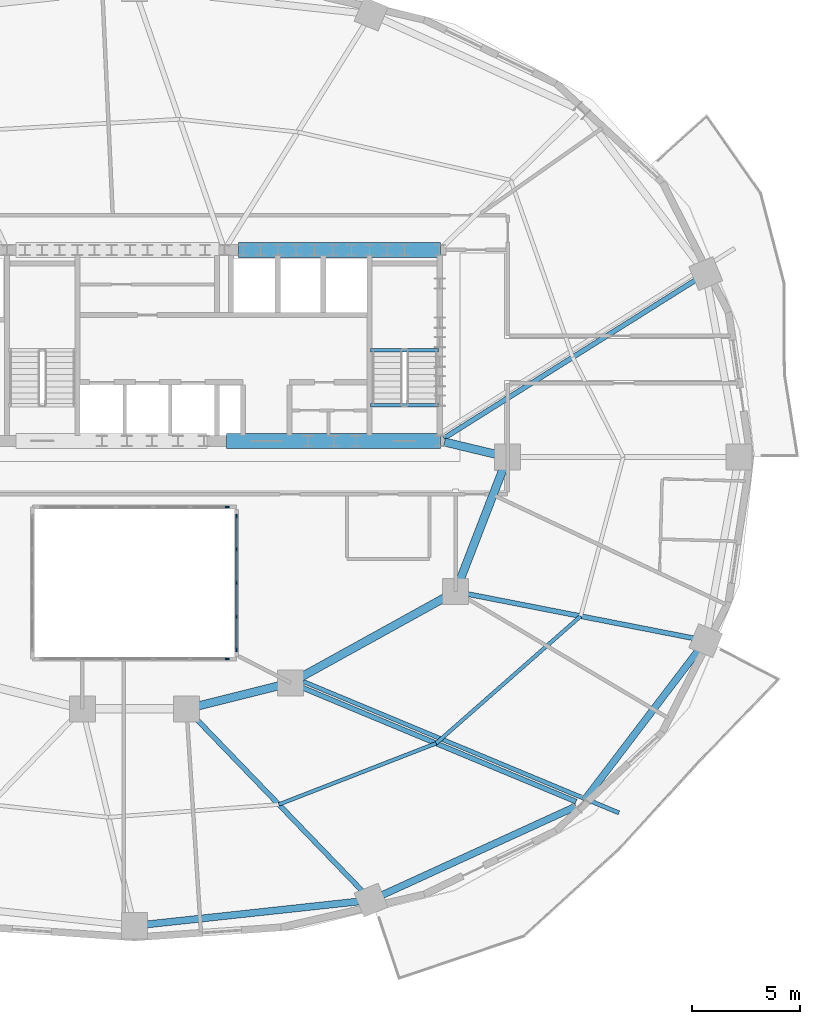
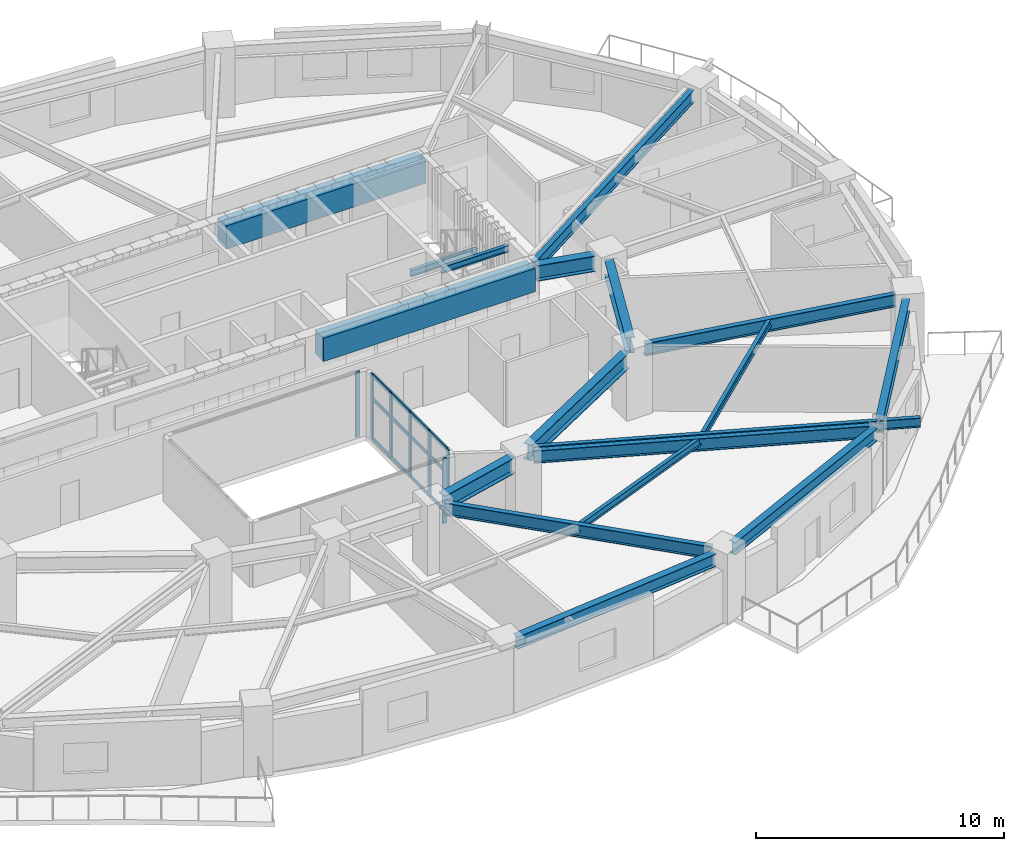
# One storey, part 4 of 13: 19 members, 18 beams, 3 elements without a shape of their own.
"""IFC4 building model written with IfcOpenShell, lengths in metres."""

from ifc_helpers import new_model, si_unit, direction, frame, origin, origin_2d, place, context, subcontext, project, spatial, rectangle, i_section, extrude, material, material_profile, profile_set, type_object, element, aggregate, save


model = new_model("IFC4")

# Units and contexts
model_context = context("Model", 3, precision=1e-05, world=origin(), true_north=direction((0.0, 1.0)))
body_context = subcontext(model_context, "Body", "Model", "MODEL_VIEW")
ifc_project = project(units=[si_unit("LENGTHUNIT", "METRE"), si_unit("AREAUNIT", "SQUARE_METRE"), si_unit("VOLUMEUNIT", "CUBIC_METRE"), si_unit("PLANEANGLEUNIT", "RADIAN"), si_unit("MASSUNIT", "GRAM", prefix="KILO")], contexts=[model_context])

# Site, building, storey
site_placement = place(None, origin())
site = spatial("IfcSite", under=ifc_project, at=site_placement, CompositionType="ELEMENT")
building_placement = place(site_placement, origin())
building = spatial("IfcBuilding", under=site, at=building_placement, Name="Haldorwick Loom Tower", CompositionType="ELEMENT")
storey_placement = place(building_placement, frame((0.0, 0.0, 124.25)))
storey = spatial("IfcBuildingStorey", under=building, at=storey_placement, Name="L33", CompositionType="ELEMENT", Elevation=124.25)

# Curtain wall, member
ifc_material_1 = material(Name="Thermally Broken Anodized Aluminium Curtain Wall Framing", Category="aluminium")
curtain_wall_type = type_object("IfcCurtainWallType", Name="ARC-CW-03", PredefinedType="NOTDEFINED", material=ifc_material_1)
curtain_wall_1_placement = place(storey_placement, origin())
curtain_wall_1 = element("IfcCurtainWall", 1, at=curtain_wall_1_placement, inside=storey, type_object=curtain_wall_type, Name="L33 Atrium Glazed Screen S", PredefinedType="NOTDEFINED")
ifc_material_profile_1 = material_profile(ifc_material_1, rectangle(XDim=0.06591796875, YDim=0.18505859375, at=origin_2d()), Name="ALU_MUL_66X185", Category="aluminium")
ifc_profile_set_1 = profile_set([ifc_material_profile_1], Name="Thermally Broken Anodized Aluminium Curtain Wall Framing")
member_type_1 = type_object("IfcMemberType", Name="ARC-CWM-03", PredefinedType="MULLION", material=ifc_profile_set_1)
member_1_placement = place(storey_placement, frame((40.26708984375, 16.699951171875, 0.0), z_axis=(0.0, 0.0, 1.0), x_axis=(0.0, -1.0, 0.0)))
member_1 = element("IfcMember", 2, at=member_1_placement, type_object=member_type_1, Name="CW-03 mullion 1", PredefinedType="MULLION", context=body_context, shape_type="SweptSolid", body=[
    extrude(rectangle(XDim=0.06591796875, YDim=0.18505859375, at=origin_2d()), origin(), (0.0, 0.0, 1.0), 3.2099609375),
])
aggregate(curtain_wall_1, [member_1])

curtain_wall_2_placement = place(storey_placement, origin())
curtain_wall_2 = element("IfcCurtainWall", 3, at=curtain_wall_2_placement, inside=storey, type_object=curtain_wall_type, Name="L33 Atrium Glazed Screen N", PredefinedType="NOTDEFINED")
member_2_placement = place(storey_placement, frame((40.26708984375, 23.699951171875, 0.0), z_axis=(0.0, 0.0, 1.0), x_axis=(0.0, 1.0, 0.0)))
member_2 = element("IfcMember", 4, at=member_2_placement, type_object=member_type_1, Name="CW-03 mullion 6", PredefinedType="MULLION", context=body_context, shape_type="SweptSolid", body=[
    extrude(rectangle(XDim=0.06591796875, YDim=0.18505859375, at=origin_2d()), origin(), (0.0, 0.0, 1.0), 3.2099609375),
])
aggregate(curtain_wall_2, [member_2])

# Curtain wall, members
curtain_wall_3_placement = place(storey_placement, origin())
curtain_wall_3 = element("IfcCurtainWall", 5, at=curtain_wall_3_placement, inside=storey, type_object=curtain_wall_type, Name="L33 Atrium Glazed Screen E", PredefinedType="NOTDEFINED")
member_3_placement = place(storey_placement, frame((40.699951171875, 23.26708984375, 0.0), z_axis=(0.0, 0.0, 1.0), x_axis=(1.0, 0.0, 0.0)))
member_3 = element("IfcMember", 6, at=member_3_placement, type_object=member_type_1, Name="CW-03 mullion 1", PredefinedType="MULLION", context=body_context, shape_type="SweptSolid", body=[
    extrude(rectangle(XDim=0.06591796875, YDim=0.18505859375, at=origin_2d()), origin(), (0.0, 0.0, 1.0), 3.2099609375),
])
member_4_placement = place(storey_placement, frame((40.699951171875, 21.75, 0.0), z_axis=(0.0, 0.0, 1.0), x_axis=(1.0, 0.0, 0.0)))
member_4 = element("IfcMember", 7, at=member_4_placement, type_object=member_type_1, Name="CW-03 mullion 2", PredefinedType="MULLION", context=body_context, shape_type="SweptSolid", body=[
    extrude(rectangle(XDim=0.06591796875, YDim=0.18505859375, at=origin_2d()), origin(), (0.0, 0.0, 1.0), 3.2099609375),
])
member_5_placement = place(storey_placement, frame((40.699951171875, 20.199951171875, 0.0), z_axis=(0.0, 0.0, 1.0), x_axis=(1.0, 0.0, 0.0)))
member_5 = element("IfcMember", 8, at=member_5_placement, type_object=member_type_1, Name="CW-03 mullion 3", PredefinedType="MULLION", context=body_context, shape_type="SweptSolid", body=[
    extrude(rectangle(XDim=0.06591796875, YDim=0.18505859375, at=origin_2d()), origin(), (0.0, 0.0, 1.0), 3.2099609375),
])
member_6_placement = place(storey_placement, frame((40.699951171875, 18.64990234375, 0.0), z_axis=(0.0, 0.0, 1.0), x_axis=(1.0, 0.0, 0.0)))
member_6 = element("IfcMember", 9, at=member_6_placement, type_object=member_type_1, Name="CW-03 mullion 4", PredefinedType="MULLION", context=body_context, shape_type="SweptSolid", body=[
    extrude(rectangle(XDim=0.06591796875, YDim=0.18505859375, at=origin_2d()), origin(), (0.0, 0.0, 1.0), 3.2099609375),
])
member_7_placement = place(storey_placement, frame((40.699951171875, 17.133056640625, 0.0), z_axis=(0.0, 0.0, 1.0), x_axis=(1.0, 0.0, 0.0)))
member_7 = element("IfcMember", 10, at=member_7_placement, type_object=member_type_1, Name="CW-03 mullion 5", PredefinedType="MULLION", context=body_context, shape_type="SweptSolid", body=[
    extrude(rectangle(XDim=0.06591796875, YDim=0.18505859375, at=origin_2d()), origin(), (0.0, 0.0, 1.0), 3.2099609375),
])
ifc_material_profile_2 = material_profile(ifc_material_1, rectangle(XDim=0.06591796875, YDim=0.1650390625, at=origin_2d()), Name="ALU_TRN_66X165", Category="aluminium")
ifc_profile_set_2 = profile_set([ifc_material_profile_2], Name="Thermally Broken Anodized Aluminium Curtain Wall Framing")
member_type_2 = type_object("IfcMemberType", Name="ARC-CWT-03", PredefinedType="USERDEFINED", material=ifc_profile_set_2)
member_8_placement = place(storey_placement, frame((40.699951171875, 23.23388671875, 0.032958984375), z_axis=(0.0, -1.0, 0.0), x_axis=(1.0, 0.0, 0.0)))
member_8 = element("IfcMember", 11, at=member_8_placement, type_object=member_type_2, Name="CW-03 transom 1.1", ObjectType="TRANSOM", PredefinedType="USERDEFINED", context=body_context, shape_type="SweptSolid", body=[
    extrude(rectangle(XDim=0.06591796875, YDim=0.1650390625, at=origin_2d()), origin(), (0.0, 0.0, 1.0), 1.450927734375),
])
member_9_placement = place(storey_placement, frame((40.699951171875, 23.23388671875, 2.0), z_axis=(0.0, -1.0, 0.0), x_axis=(1.0, 0.0, 0.0)))
member_9 = element("IfcMember", 12, at=member_9_placement, type_object=member_type_2, Name="CW-03 transom 1.2", ObjectType="TRANSOM", PredefinedType="USERDEFINED", context=body_context, shape_type="SweptSolid", body=[
    extrude(rectangle(XDim=0.06591796875, YDim=0.1650390625, at=origin_2d()), origin(), (0.0, 0.0, 1.0), 1.450927734375),
])
member_10_placement = place(storey_placement, frame((40.699951171875, 23.23388671875, 3.177001953125), z_axis=(0.0, -1.0, 0.0), x_axis=(1.0, 0.0, 0.0)))
member_10 = element("IfcMember", 13, at=member_10_placement, type_object=member_type_2, Name="CW-03 transom 1.3", ObjectType="TRANSOM", PredefinedType="USERDEFINED", context=body_context, shape_type="SweptSolid", body=[
    extrude(rectangle(XDim=0.06591796875, YDim=0.1650390625, at=origin_2d()), origin(), (0.0, 0.0, 1.0), 1.450927734375),
])
member_11_placement = place(storey_placement, frame((40.699951171875, 21.717041015625, 0.032958984375), z_axis=(0.0, -1.0, 0.0), x_axis=(1.0, 0.0, 0.0)))
member_11 = element("IfcMember", 14, at=member_11_placement, type_object=member_type_2, Name="CW-03 transom 2.1", ObjectType="TRANSOM", PredefinedType="USERDEFINED", context=body_context, shape_type="SweptSolid", body=[
    extrude(rectangle(XDim=0.06591796875, YDim=0.1650390625, at=origin_2d()), origin(), (0.0, 0.0, 1.0), 1.484130859375),
])
member_12_placement = place(storey_placement, frame((40.699951171875, 21.717041015625, 2.0), z_axis=(0.0, -1.0, 0.0), x_axis=(1.0, 0.0, 0.0)))
member_12 = element("IfcMember", 15, at=member_12_placement, type_object=member_type_2, Name="CW-03 transom 2.2", ObjectType="TRANSOM", PredefinedType="USERDEFINED", context=body_context, shape_type="SweptSolid", body=[
    extrude(rectangle(XDim=0.06591796875, YDim=0.1650390625, at=origin_2d()), origin(), (0.0, 0.0, 1.0), 1.484130859375),
])
member_13_placement = place(storey_placement, frame((40.699951171875, 21.717041015625, 3.177001953125), z_axis=(0.0, -1.0, 0.0), x_axis=(1.0, 0.0, 0.0)))
member_13 = element("IfcMember", 16, at=member_13_placement, type_object=member_type_2, Name="CW-03 transom 2.3", ObjectType="TRANSOM", PredefinedType="USERDEFINED", context=body_context, shape_type="SweptSolid", body=[
    extrude(rectangle(XDim=0.06591796875, YDim=0.1650390625, at=origin_2d()), origin(), (0.0, 0.0, 1.0), 1.484130859375),
])
member_14_placement = place(storey_placement, frame((40.699951171875, 20.1669921875, 0.032958984375), z_axis=(0.0, -1.0, 0.0), x_axis=(1.0, 0.0, 0.0)))
member_14 = element("IfcMember", 17, at=member_14_placement, type_object=member_type_2, Name="CW-03 transom 3.1", ObjectType="TRANSOM", PredefinedType="USERDEFINED", context=body_context, shape_type="SweptSolid", body=[
    extrude(rectangle(XDim=0.06591796875, YDim=0.1650390625, at=origin_2d()), origin(), (0.0, 0.0, 1.0), 1.48388671875),
])
member_15_placement = place(storey_placement, frame((40.699951171875, 20.1669921875, 2.0), z_axis=(0.0, -1.0, 0.0), x_axis=(1.0, 0.0, 0.0)))
member_15 = element("IfcMember", 18, at=member_15_placement, type_object=member_type_2, Name="CW-03 transom 3.2", ObjectType="TRANSOM", PredefinedType="USERDEFINED", context=body_context, shape_type="SweptSolid", body=[
    extrude(rectangle(XDim=0.06591796875, YDim=0.1650390625, at=origin_2d()), origin(), (0.0, 0.0, 1.0), 1.48388671875),
])
member_16_placement = place(storey_placement, frame((40.699951171875, 20.1669921875, 3.177001953125), z_axis=(0.0, -1.0, 0.0), x_axis=(1.0, 0.0, 0.0)))
member_16 = element("IfcMember", 19, at=member_16_placement, type_object=member_type_2, Name="CW-03 transom 3.3", ObjectType="TRANSOM", PredefinedType="USERDEFINED", context=body_context, shape_type="SweptSolid", body=[
    extrude(rectangle(XDim=0.06591796875, YDim=0.1650390625, at=origin_2d()), origin(), (0.0, 0.0, 1.0), 1.48388671875),
])
member_17_placement = place(storey_placement, frame((40.699951171875, 18.616943359375, 0.032958984375), z_axis=(0.0, -1.0, 0.0), x_axis=(1.0, 0.0, 0.0)))
member_17 = element("IfcMember", 20, at=member_17_placement, type_object=member_type_2, Name="CW-03 transom 4.1", ObjectType="TRANSOM", PredefinedType="USERDEFINED", context=body_context, shape_type="SweptSolid", body=[
    extrude(rectangle(XDim=0.06591796875, YDim=0.1650390625, at=origin_2d()), origin(), (0.0, 0.0, 1.0), 1.450927734375),
])
member_18_placement = place(storey_placement, frame((40.699951171875, 18.616943359375, 2.0), z_axis=(0.0, -1.0, 0.0), x_axis=(1.0, 0.0, 0.0)))
member_18 = element("IfcMember", 21, at=member_18_placement, type_object=member_type_2, Name="CW-03 transom 4.2", ObjectType="TRANSOM", PredefinedType="USERDEFINED", context=body_context, shape_type="SweptSolid", body=[
    extrude(rectangle(XDim=0.06591796875, YDim=0.1650390625, at=origin_2d()), origin(), (0.0, 0.0, 1.0), 1.450927734375),
])
member_19_placement = place(storey_placement, frame((40.699951171875, 18.616943359375, 3.177001953125), z_axis=(0.0, -1.0, 0.0), x_axis=(1.0, 0.0, 0.0)))
member_19 = element("IfcMember", 22, at=member_19_placement, type_object=member_type_2, Name="CW-03 transom 4.3", ObjectType="TRANSOM", PredefinedType="USERDEFINED", context=body_context, shape_type="SweptSolid", body=[
    extrude(rectangle(XDim=0.06591796875, YDim=0.1650390625, at=origin_2d()), origin(), (0.0, 0.0, 1.0), 1.450927734375),
])
aggregate(curtain_wall_3, [member_3, member_4, member_5, member_6, member_7, member_8, member_9, member_10, member_11, member_12, member_13, member_14, member_15, member_16, member_17, member_18, member_19])

# Beams
ifc_material_2 = material(Name="Steel CSA G40.21 350W", Category="steel")
ifc_material_profile_3 = material_profile(ifc_material_2, i_section(OverallWidth=0.193115234375, OverallDepth=0.466064453125, WebThickness=0.011474609375, FlangeThickness=0.01904296875, at=origin_2d()), Name="W460X97", Category="steel")
ifc_profile_set_3 = profile_set([ifc_material_profile_3], Name="Steel CSA G40.21 350W")
beam_type_1 = type_object("IfcBeamType", Name="STR-BM-BAL460", PredefinedType="BEAM", material=ifc_profile_set_3)
beam_1_placement = place(storey_placement, frame((43.78759765625, 15.65869140625, 2.97705078125), z_axis=(0.923187850755, -0.384349049976, 0.0), x_axis=(0.384349049976, 0.923187850755, 0.0)))
element("IfcBeam", 23, at=beam_1_placement, inside=storey, type_object=beam_type_1, Name="L33 Continuous Back-Spanned Balcony Beam 1", PredefinedType="BEAM", context=body_context, shape_type="SweptSolid", body=[
    extrude(i_section(OverallWidth=0.193115234375, OverallDepth=0.466064453125, WebThickness=0.011474609375, FlangeThickness=0.01904296875, at=origin_2d()), origin(), (0.0, 0.0, 1.0), 15.75244140625),
])
ifc_material_3 = material(Name="Concrete C60 (60 MPa)", Category="concrete")
ifc_material_profile_4 = material_profile(ifc_material_3, rectangle(XDim=0.699951171875, YDim=1.14990234375, at=origin_2d()), Name="RC700X1150", Category="concrete")
ifc_profile_set_4 = profile_set([ifc_material_profile_4], Name="Concrete C60 (60 MPa)")
beam_type_2 = type_object("IfcBeamType", Name="STR-BM-CB1150", PredefinedType="LINTEL", material=ifc_profile_set_4)
beam_2_placement = place(storey_placement, frame((40.800048828125, 35.550048828125, 2.635009765625), z_axis=(1.0, 0.0, 0.0), x_axis=(0.0, 1.0, 0.0)))
element("IfcBeam", 24, at=beam_2_placement, inside=storey, type_object=beam_type_2, Name="L33 Core Coupling Beam CB-N3", PredefinedType="LINTEL", context=body_context, shape_type="SweptSolid", body=[
    extrude(rectangle(XDim=0.699951171875, YDim=1.14990234375, at=origin_2d()), origin(), (0.0, 0.0, 1.0), 9.300048828125),
])
beam_3_placement = place(storey_placement, frame((40.25, 26.75, 2.635009765625), z_axis=(1.0, 0.0, 0.0), x_axis=(0.0, 1.0, 0.0)))
element("IfcBeam", 25, at=beam_3_placement, inside=storey, type_object=beam_type_2, Name="L33 Core Coupling Beam CB-S3", PredefinedType="LINTEL", context=body_context, shape_type="SweptSolid", body=[
    extrude(rectangle(XDim=0.699951171875, YDim=1.14990234375, at=origin_2d()), origin(), (0.0, 0.0, 1.0), 9.85009765625),
])
ifc_material_profile_5 = material_profile(ifc_material_2, i_section(OverallWidth=0.172119140625, OverallDepth=0.35791015625, WebThickness=0.0078125, FlangeThickness=0.01318359375, at=origin_2d()), Name="W360X57", Category="steel")
ifc_profile_set_5 = profile_set([ifc_material_profile_5], Name="Steel CSA G40.21 350W")
beam_type_3 = type_object("IfcBeamType", Name="STR-BM-J360", PredefinedType="JOIST", material=ifc_profile_set_5)
beam_4_placement = place(storey_placement, frame((42.6533203125, 9.9912109375, 3.031005859375), z_axis=(0.932072983051, 0.362270553959, 0.0), x_axis=(-0.362270553959, 0.932072983051, 0.0)))
element("IfcBeam", 26, at=beam_4_placement, inside=storey, type_object=beam_type_3, Name="L33 Mid-Bay Secondary Joist 14", PredefinedType="JOIST", context=body_context, shape_type="SweptSolid", body=[
    extrude(i_section(OverallWidth=0.172119140625, OverallDepth=0.35791015625, WebThickness=0.0078125, FlangeThickness=0.01318359375, at=origin_2d()), origin(), (0.0, 0.0, 1.0), 7.7783203125),
])
beam_5_placement = place(storey_placement, frame((49.9033203125, 12.80908203125, 3.031005859375), z_axis=(0.750721157729, 0.660619212057, 0.0), x_axis=(-0.660619212057, 0.750721157729, 0.0)))
element("IfcBeam", 27, at=beam_5_placement, inside=storey, type_object=beam_type_3, Name="L33 Mid-Bay Secondary Joist 15", PredefinedType="JOIST", context=body_context, shape_type="SweptSolid", body=[
    extrude(i_section(OverallWidth=0.172119140625, OverallDepth=0.35791015625, WebThickness=0.0078125, FlangeThickness=0.01318359375, at=origin_2d()), origin(), (0.0, 0.0, 1.0), 8.8740234375),
])
ifc_material_profile_6 = material_profile(ifc_material_2, i_section(OverallWidth=0.324951171875, OverallDepth=0.615966796875, WebThickness=0.013916015625, FlangeThickness=0.021484375, at=origin_2d()), Name="W610X174", Category="steel")
ifc_profile_set_6 = profile_set([ifc_material_profile_6], Name="Steel CSA G40.21 350W")
beam_type_4 = type_object("IfcBeamType", Name="STR-BM-SP610", PredefinedType="SPANDREL", material=ifc_profile_set_6)
beam_6_placement = place(storey_placement, frame((36.51708984375, 4.45751953125, 2.902099609375), z_axis=(0.994190135627, 0.107638163409, 0.0), x_axis=(-0.107638163409, 0.994190135627, 0.0)))
element("IfcBeam", 28, at=beam_6_placement, inside=storey, type_object=beam_type_4, Name="L33 Perimeter Spandrel 13", PredefinedType="SPANDREL", context=body_context, shape_type="SweptSolid", body=[
    extrude(i_section(OverallWidth=0.324951171875, OverallDepth=0.615966796875, WebThickness=0.013916015625, FlangeThickness=0.021484375, at=origin_2d()), origin(), (0.0, 0.0, 1.0), 9.929931640625),
])
beam_7_placement = place(storey_placement, frame((47.37939453125, 5.798583984375, 2.902099609375), z_axis=(0.909423969306, 0.415870225011, 0.0), x_axis=(-0.415870225011, 0.909423969306, 0.0)))
element("IfcBeam", 29, at=beam_7_placement, inside=storey, type_object=beam_type_4, Name="L33 Perimeter Spandrel 14", PredefinedType="SPANDREL", context=body_context, shape_type="SweptSolid", body=[
    extrude(i_section(OverallWidth=0.324951171875, OverallDepth=0.615966796875, WebThickness=0.013916015625, FlangeThickness=0.021484375, at=origin_2d()), origin(), (0.0, 0.0, 1.0), 9.871337890625),
])
beam_8_placement = place(storey_placement, frame((56.773193359375, 10.2373046875, 2.902099609375), z_axis=(0.605453508047, 0.795880675475, 0.0), x_axis=(-0.795880675475, 0.605453508047, 0.0)))
element("IfcBeam", 30, at=beam_8_placement, inside=storey, type_object=beam_type_4, Name="L33 Perimeter Spandrel 15", PredefinedType="SPANDREL", context=body_context, shape_type="SweptSolid", body=[
    extrude(i_section(OverallWidth=0.324951171875, OverallDepth=0.615966796875, WebThickness=0.013916015625, FlangeThickness=0.021484375, at=origin_2d()), origin(), (0.0, 0.0, 1.0), 8.6591796875),
])
ifc_material_profile_7 = material_profile(ifc_material_2, i_section(OverallWidth=0.166015625, OverallDepth=0.31298828125, WebThickness=0.006591796875, FlangeThickness=0.01123046875, at=origin_2d()), Name="W310X45", Category="steel")
ifc_profile_set_7 = profile_set([ifc_material_profile_7], Name="Steel CSA G40.21 350W")
beam_type_5 = type_object("IfcBeamType", Name="STR-BM-STRM", PredefinedType="BEAM", material=ifc_profile_set_7)
for number, where, z_axis, x_axis, name in (
    (31, (46.889892578125, 28.39990234375, 3.053466796875), (1.0, 0.0, 0.0), (0.0, 1.0, 0.0), "L33 Stair ST-02 Landing Edge Trimmer"),
    (32, (46.889892578125, 30.919921875, 1.368408203125), (1.0, 0.0, 0.0), (0.0, 1.0, 0.0), "L33 Stair ST-02 Half-Landing Trimmer 1"),
):
    element("IfcBeam", number, at=place(storey_placement, frame(where, z_axis=z_axis, x_axis=x_axis)), inside=storey, type_object=beam_type_5, Name=name, PredefinedType="BEAM", context=body_context, shape_type="SweptSolid", body=[
        extrude(i_section(OverallWidth=0.166015625, OverallDepth=0.31298828125, WebThickness=0.006591796875, FlangeThickness=0.01123046875, at=origin_2d()), origin(), (0.0, 0.0, 1.0), 3.1201171875),
    ])
ifc_material_profile_8 = material_profile(ifc_material_2, i_section(OverallWidth=0.22998046875, OverallDepth=0.616943359375, WebThickness=0.01318359375, FlangeThickness=0.022216796875, at=origin_2d()), Name="W610X140", Category="steel")
ifc_profile_set_8 = profile_set([ifc_material_profile_8], Name="Steel CSA G40.21 350W")
beam_type_6 = type_object("IfcBeamType", Name="STR-BM-W610B", PredefinedType="BEAM", material=ifc_profile_set_8)
beam_9_placement = place(storey_placement, frame((50.260498046875, 26.86962890625, 2.901611328125), z_axis=(0.846609551433, 0.532214493811, 0.0), x_axis=(-0.532214493811, 0.846609551433, 0.0)))
element("IfcBeam", 33, at=beam_9_placement, inside=storey, type_object=beam_type_6, Name="L33 Radial Floor Girder 2", PredefinedType="BEAM", context=body_context, shape_type="SweptSolid", body=[
    extrude(i_section(OverallWidth=0.22998046875, OverallDepth=0.616943359375, WebThickness=0.01318359375, FlangeThickness=0.022216796875, at=origin_2d()), origin(), (0.0, 0.0, 1.0), 13.737060546875),
])
beam_10_placement = place(storey_placement, frame((38.760986328125, 14.02587890625, 2.901611328125), z_axis=(0.694287071595, -0.719698174387, 0.0), x_axis=(0.719698174387, 0.694287071595, 0.0)))
element("IfcBeam", 34, at=beam_10_placement, inside=storey, type_object=beam_type_6, Name="L33 Radial Floor Girder 14", PredefinedType="BEAM", context=body_context, shape_type="SweptSolid", body=[
    extrude(i_section(OverallWidth=0.22998046875, OverallDepth=0.616943359375, WebThickness=0.01318359375, FlangeThickness=0.022216796875, at=origin_2d()), origin(), (0.0, 0.0, 1.0), 11.212158203125),
])
beam_11_placement = place(storey_placement, frame((43.68017578125, 15.400146484375, 2.901611328125), z_axis=(0.923183704764, -0.384359008297, 0.0), x_axis=(0.384359008297, 0.923183704764, 0.0)))
element("IfcBeam", 35, at=beam_11_placement, inside=storey, type_object=beam_type_6, Name="L33 Radial Floor Girder 15", PredefinedType="BEAM", context=body_context, shape_type="SweptSolid", body=[
    extrude(i_section(OverallWidth=0.22998046875, OverallDepth=0.616943359375, WebThickness=0.01318359375, FlangeThickness=0.022216796875, at=origin_2d()), origin(), (0.0, 0.0, 1.0), 13.72705078125),
])
beam_12_placement = place(storey_placement, frame((51.310302734375, 19.7001953125, 2.901611328125), z_axis=(0.981369581426, -0.192129499692, 0.0), x_axis=(0.192129499692, 0.981369581426, 0.0)))
element("IfcBeam", 36, at=beam_12_placement, inside=storey, type_object=beam_type_6, Name="L33 Radial Floor Girder 16", PredefinedType="BEAM", context=body_context, shape_type="SweptSolid", body=[
    extrude(i_section(OverallWidth=0.22998046875, OverallDepth=0.616943359375, WebThickness=0.01318359375, FlangeThickness=0.022216796875, at=origin_2d()), origin(), (0.0, 0.0, 1.0), 10.70947265625),
])
ifc_material_profile_9 = material_profile(ifc_material_2, i_section(OverallWidth=0.381103515625, OverallDepth=0.77294921875, WebThickness=0.0166015625, FlangeThickness=0.027587890625, at=origin_2d()), Name="W760X257", Category="steel")
ifc_profile_set_9 = profile_set([ifc_material_profile_9], Name="Steel CSA G40.21 350W")
beam_type_7 = type_object("IfcBeamType", Name="STR-BM-W760", PredefinedType="BEAM", material=ifc_profile_set_9)
beam_13_placement = place(storey_placement, frame((50.288818359375, 26.697509765625, 2.823486328125), z_axis=(0.97247055837, -0.233025777764, 0.0), x_axis=(0.233025777764, 0.97247055837, 0.0)))
element("IfcBeam", 37, at=beam_13_placement, inside=storey, type_object=beam_type_7, Name="L33 Inner Ring Girder 1", PredefinedType="BEAM", context=body_context, shape_type="SweptSolid", body=[
    extrude(i_section(OverallWidth=0.381103515625, OverallDepth=0.77294921875, WebThickness=0.0166015625, FlangeThickness=0.027587890625, at=origin_2d()), origin(), (0.0, 0.0, 1.0), 2.4736328125),
])
beam_14_placement = place(storey_placement, frame((53.01220703125, 25.51513671875, 2.823486328125), z_axis=(-0.360964792353, -0.93257944363, 0.0), x_axis=(0.93257944363, -0.360964792353, 0.0)))
element("IfcBeam", 38, at=beam_14_placement, inside=storey, type_object=beam_type_7, Name="L33 Inner Ring Girder 2", PredefinedType="BEAM", context=body_context, shape_type="SweptSolid", body=[
    extrude(i_section(OverallWidth=0.381103515625, OverallDepth=0.77294921875, WebThickness=0.0166015625, FlangeThickness=0.027587890625, at=origin_2d()), origin(), (0.0, 0.0, 1.0), 5.6083984375),
])
beam_15_placement = place(storey_placement, frame((50.344970703125, 19.548583984375, 2.823486328125), z_axis=(-0.875244382146, -0.483680960471, 0.0), x_axis=(0.483680960471, -0.875244382146, 0.0)))
element("IfcBeam", 39, at=beam_15_placement, inside=storey, type_object=beam_type_7, Name="L33 Inner Ring Girder 3", PredefinedType="BEAM", context=body_context, shape_type="SweptSolid", body=[
    extrude(i_section(OverallWidth=0.381103515625, OverallDepth=0.77294921875, WebThickness=0.0166015625, FlangeThickness=0.027587890625, at=origin_2d()), origin(), (0.0, 0.0, 1.0), 7.6435546875),
])
beam_16_placement = place(storey_placement, frame((42.695556640625, 15.473876953125, 2.823486328125), z_axis=(-0.970142500145, -0.242535625036, 0.0), x_axis=(0.242535625036, -0.970142500145, 0.0)))
element("IfcBeam", 40, at=beam_16_placement, inside=storey, type_object=beam_type_7, Name="L33 Inner Ring Girder 4", PredefinedType="BEAM", context=body_context, shape_type="SweptSolid", body=[
    extrude(i_section(OverallWidth=0.381103515625, OverallDepth=0.77294921875, WebThickness=0.0166015625, FlangeThickness=0.027587890625, at=origin_2d()), origin(), (0.0, 0.0, 1.0), 3.90771484375),
])

save(model, "model.ifc")
